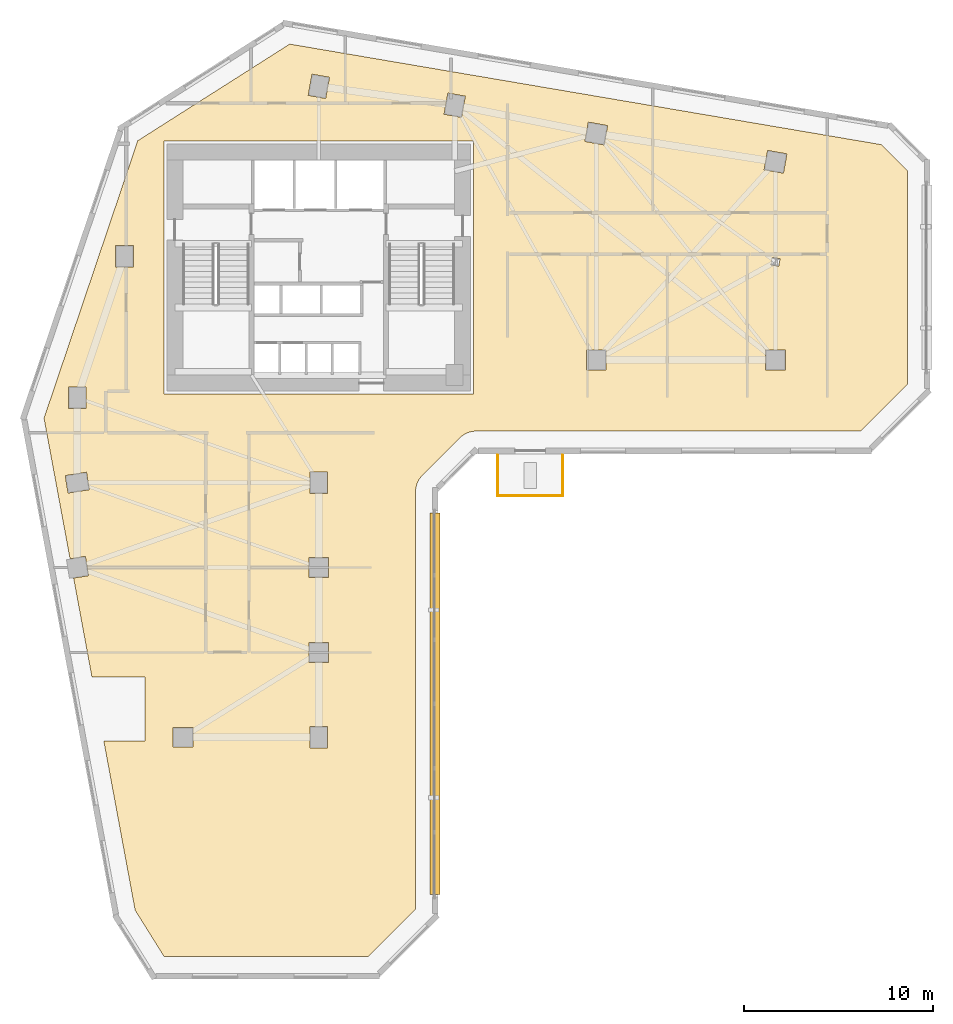
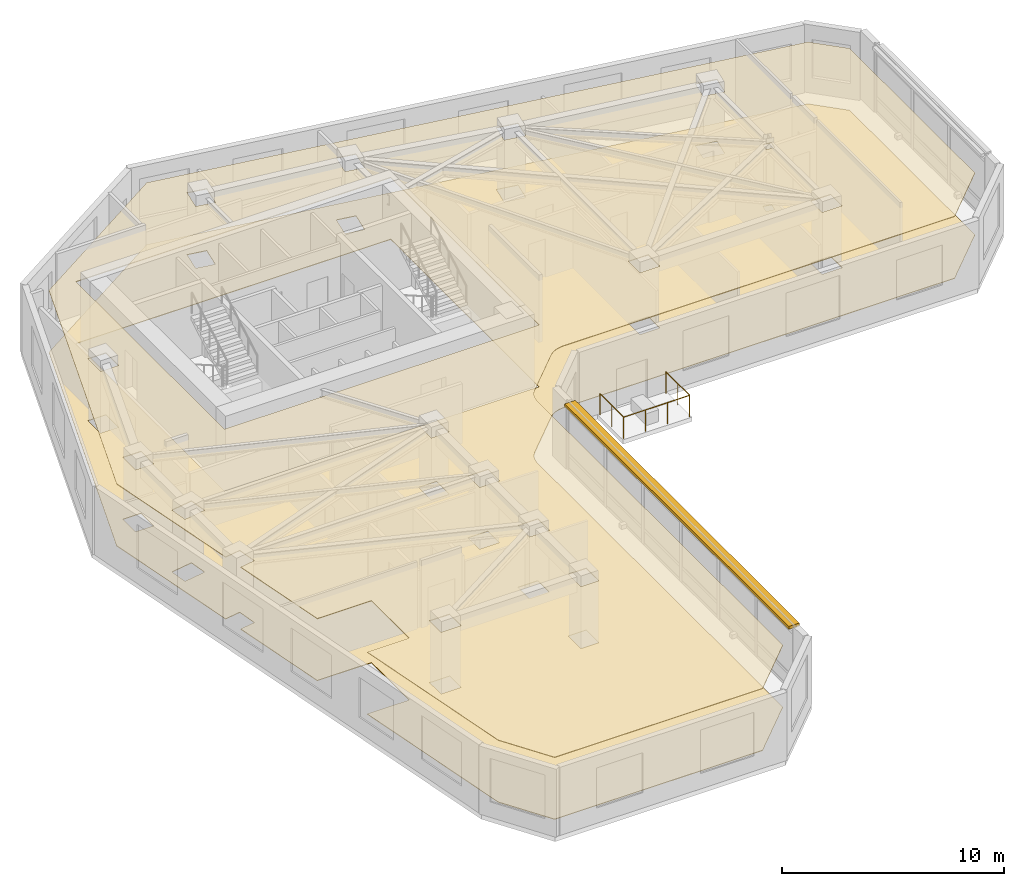
# One storey, part 8 of 10: 3 railings, 2 coverings, 1 shading device.
"""IFC4 building model written with IfcOpenShell, lengths in metres."""

from ifc_helpers import new_model, si_unit, direction, frame, frame_2d, origin, origin_2d, place, context, subcontext, project, spatial, polyline, rectangle, circle, outline, extrude, material, layer, layer_set, type_object, element, save


model = new_model("IFC4")

# Units and contexts
model_context = context("Model", 3, precision=1e-05, world=origin(), true_north=direction((0.0, 1.0)))
body_context = subcontext(model_context, "Body", "Model", "MODEL_VIEW")
ifc_project = project(units=[si_unit("LENGTHUNIT", "METRE"), si_unit("AREAUNIT", "SQUARE_METRE"), si_unit("VOLUMEUNIT", "CUBIC_METRE"), si_unit("PLANEANGLEUNIT", "RADIAN"), si_unit("MASSUNIT", "GRAM", prefix="KILO")], contexts=[model_context])

# Site, building, storey
site_placement = place(None, origin())
site = spatial("IfcSite", under=ifc_project, at=site_placement, CompositionType="ELEMENT")
building_placement = place(site_placement, origin())
building = spatial("IfcBuilding", under=site, at=building_placement, Name="Calvemar Wedge Station Tower", CompositionType="ELEMENT")
storey_placement = place(building_placement, frame((0.0, 0.0, 87.0)))
storey = spatial("IfcBuildingStorey", under=building, at=storey_placement, Name="L21", CompositionType="ELEMENT", Elevation=87.0)

# Coverings
ifc_material_1 = material(Name="Acoustic mineral fibre ceiling board")
ifc_layer_1 = layer(ifc_material_1, 0.0400390625)
ifc_layer_set_1 = layer_set([ifc_layer_1], Name="Acoustic mineral fibre ceiling board")
covering_type_1 = type_object("IfcCoveringType", Name="COV-CEIL-ACOUSTIC", PredefinedType="CEILING", material=ifc_layer_set_1)
covering_1_placement = place(storey_placement, frame((0.0, 0.0, 3.39990234375)))
element("IfcCovering", 1, at=covering_1_placement, inside=storey, type_object=covering_type_1, Name="Storey L21 Acoustic Suspended Ceiling", PredefinedType="CEILING", context=body_context, shape_type="SweptSolid", body=[
    extrude(outline(polyline([(29.279541015625, 28.87646484375), (31.279541015625, 30.87646484375), (31.36669921875, 30.95556640625), (31.461181640625, 31.02587890625), (31.562255859375, 31.086181640625), (31.668701171875, 31.13671875), (31.77978515625, 31.17626953125), (31.893798828125, 31.204833984375), (32.010498046875, 31.22216796875), (32.1279296875, 31.22802734375), (52.5029296875, 31.22802734375), (55.0, 33.72509765625), (55.0, 45.031005859375), (53.621826171875, 46.408935546875), (22.25439453125, 51.739501953125), (14.201416015625, 46.614990234375), (9.23681640625, 31.911865234375), (10.6162109375, 24.465087890625), (11.43115234375, 24.595703125), (11.595703125, 23.56884765625), (10.805908203125, 23.4423828125), (11.777099609375, 18.199951171875), (14.60009765625, 18.199951171875), (14.60009765625, 14.800048828125), (12.406982421875, 14.800048828125), (14.06640625, 5.8427734375), (15.593017578125, 3.39990234375), (26.430908203125, 3.39990234375), (28.927978515625, 5.897216796875), (28.927978515625, 28.028076171875), (28.933837890625, 28.1455078125), (28.951171875, 28.26220703125), (28.979736328125, 28.376220703125), (29.019287109375, 28.4873046875), (29.069580078125, 28.59375), (29.130126953125, 28.694580078125), (29.200439453125, 28.789306640625), (29.279541015625, 28.87646484375)]), holes=[polyline([(15.60009765625, 46.60009765625), (32.0, 46.60009765625), (32.0, 33.199951171875), (15.60009765625, 33.199951171875), (15.60009765625, 46.60009765625)]), polyline([(10.530029296875, 32.429931640625), (10.530029296875, 33.570068359375), (11.469970703125, 33.570068359375), (11.469970703125, 32.429931640625), (10.530029296875, 32.429931640625)]), polyline([(13.030029296875, 41.070068359375), (13.969970703125, 41.070068359375), (13.969970703125, 39.929931640625), (13.030029296875, 39.929931640625), (13.030029296875, 41.070068359375)]), polyline([(24.363525390625, 49.977783203125), (24.16162109375, 48.855712890625), (23.236572265625, 49.022216796875), (23.4384765625, 50.144287109375), (24.363525390625, 49.977783203125)]), polyline([(31.361572265625, 47.855712890625), (30.4365234375, 48.022216796875), (30.638427734375, 49.144287109375), (31.5634765625, 48.977783203125), (31.361572265625, 47.855712890625)]), polyline([(37.89599609375, 46.580322265625), (38.080322265625, 47.60400390625), (39.10400390625, 47.419677734375), (38.919677734375, 46.39599609375), (37.89599609375, 46.580322265625)]), polyline([(47.580322265625, 46.10400390625), (48.60400390625, 45.919677734375), (48.419677734375, 44.89599609375), (47.39599609375, 45.080322265625), (47.580322265625, 46.10400390625)]), polyline([(39.02001953125, 35.52001953125), (39.02001953125, 34.47998046875), (37.97998046875, 34.47998046875), (37.97998046875, 35.52001953125), (39.02001953125, 35.52001953125)]), polyline([(48.52001953125, 34.47998046875), (47.47998046875, 34.47998046875), (47.47998046875, 35.52001953125), (48.52001953125, 35.52001953125), (48.52001953125, 34.47998046875)]), polyline([(47.759765625, 40.033935546875), (47.832763671875, 40.439453125), (48.240234375, 40.3662109375), (48.167236328125, 39.960693359375), (47.759765625, 40.033935546875)]), polyline([(11.488525390625, 29.05419921875), (11.63720703125, 28.126220703125), (10.511474609375, 27.94580078125), (10.36279296875, 28.873779296875), (11.488525390625, 29.05419921875)]), polyline([(24.27001953125, 27.929931640625), (23.330078125, 27.929931640625), (23.330078125, 29.070068359375), (24.27001953125, 29.070068359375), (24.27001953125, 27.929931640625)]), polyline([(23.280029296875, 23.47998046875), (23.280029296875, 24.52001953125), (24.320068359375, 24.52001953125), (24.320068359375, 23.47998046875), (23.280029296875, 23.47998046875)]), polyline([(23.280029296875, 20.02001953125), (24.320068359375, 20.02001953125), (24.320068359375, 18.97998046875), (23.280029296875, 18.97998046875), (23.280029296875, 20.02001953125)]), polyline([(24.27001953125, 15.570068359375), (24.27001953125, 14.429931640625), (23.330078125, 14.429931640625), (23.330078125, 15.570068359375), (24.27001953125, 15.570068359375)]), polyline([(17.1201171875, 14.47998046875), (16.080078125, 14.47998046875), (16.080078125, 15.52001953125), (17.1201171875, 15.52001953125), (17.1201171875, 14.47998046875)])]), origin(), (0.0, 0.0, 1.0), 0.0400390625),
])
ifc_material_2 = material(Name="Commercial raised access floor")
ifc_layer_2 = layer(ifc_material_2, 0.030029296875)
ifc_layer_set_2 = layer_set([ifc_layer_2], Name="Commercial raised access floor")
covering_type_2 = type_object("IfcCoveringType", Name="COV-FLR-RAISED", PredefinedType="FLOORING", material=ifc_layer_set_2)
covering_2_placement = place(storey_placement, origin())
element("IfcCovering", 2, at=covering_2_placement, inside=storey, type_object=covering_type_2, Name="Storey L21 Architectural Floor Finish", PredefinedType="FLOORING", context=body_context, shape_type="SweptSolid", body=[
    extrude(outline(polyline([(29.279541015625, 28.87646484375), (31.279541015625, 30.87646484375), (31.36669921875, 30.95556640625), (31.461181640625, 31.02587890625), (31.562255859375, 31.086181640625), (31.668701171875, 31.13671875), (31.77978515625, 31.17626953125), (31.893798828125, 31.204833984375), (32.010498046875, 31.22216796875), (32.1279296875, 31.22802734375), (52.5029296875, 31.22802734375), (55.0, 33.72509765625), (55.0, 45.031005859375), (53.621826171875, 46.408935546875), (22.25439453125, 51.739501953125), (14.201416015625, 46.614990234375), (9.23681640625, 31.911865234375), (10.6162109375, 24.465087890625), (11.43115234375, 24.595703125), (11.595703125, 23.56884765625), (10.805908203125, 23.4423828125), (11.777099609375, 18.199951171875), (14.60009765625, 18.199951171875), (14.60009765625, 14.800048828125), (12.406982421875, 14.800048828125), (14.06640625, 5.8427734375), (15.593017578125, 3.39990234375), (26.430908203125, 3.39990234375), (28.927978515625, 5.897216796875), (28.927978515625, 28.028076171875), (28.933837890625, 28.1455078125), (28.951171875, 28.26220703125), (28.979736328125, 28.376220703125), (29.019287109375, 28.4873046875), (29.069580078125, 28.59375), (29.130126953125, 28.694580078125), (29.200439453125, 28.789306640625), (29.279541015625, 28.87646484375)]), holes=[polyline([(15.60009765625, 46.60009765625), (32.0, 46.60009765625), (32.0, 33.199951171875), (15.60009765625, 33.199951171875), (15.60009765625, 46.60009765625)]), polyline([(10.530029296875, 32.429931640625), (10.530029296875, 33.570068359375), (11.469970703125, 33.570068359375), (11.469970703125, 32.429931640625), (10.530029296875, 32.429931640625)]), polyline([(13.030029296875, 41.070068359375), (13.969970703125, 41.070068359375), (13.969970703125, 39.929931640625), (13.030029296875, 39.929931640625), (13.030029296875, 41.070068359375)]), polyline([(24.363525390625, 49.977783203125), (24.16162109375, 48.855712890625), (23.236572265625, 49.022216796875), (23.4384765625, 50.144287109375), (24.363525390625, 49.977783203125)]), polyline([(31.361572265625, 47.855712890625), (30.4365234375, 48.022216796875), (30.638427734375, 49.144287109375), (31.5634765625, 48.977783203125), (31.361572265625, 47.855712890625)]), polyline([(37.89599609375, 46.580322265625), (38.080322265625, 47.60400390625), (39.10400390625, 47.419677734375), (38.919677734375, 46.39599609375), (37.89599609375, 46.580322265625)]), polyline([(47.580322265625, 46.10400390625), (48.60400390625, 45.919677734375), (48.419677734375, 44.89599609375), (47.39599609375, 45.080322265625), (47.580322265625, 46.10400390625)]), polyline([(39.02001953125, 35.52001953125), (39.02001953125, 34.47998046875), (37.97998046875, 34.47998046875), (37.97998046875, 35.52001953125), (39.02001953125, 35.52001953125)]), polyline([(48.52001953125, 34.47998046875), (47.47998046875, 34.47998046875), (47.47998046875, 35.52001953125), (48.52001953125, 35.52001953125), (48.52001953125, 34.47998046875)]), polyline([(47.759765625, 40.033935546875), (47.832763671875, 40.439453125), (48.240234375, 40.3662109375), (48.167236328125, 39.960693359375), (47.759765625, 40.033935546875)]), polyline([(11.488525390625, 29.05419921875), (11.63720703125, 28.126220703125), (10.511474609375, 27.94580078125), (10.36279296875, 28.873779296875), (11.488525390625, 29.05419921875)]), polyline([(24.27001953125, 27.929931640625), (23.330078125, 27.929931640625), (23.330078125, 29.070068359375), (24.27001953125, 29.070068359375), (24.27001953125, 27.929931640625)]), polyline([(23.280029296875, 23.47998046875), (23.280029296875, 24.52001953125), (24.320068359375, 24.52001953125), (24.320068359375, 23.47998046875), (23.280029296875, 23.47998046875)]), polyline([(23.280029296875, 20.02001953125), (24.320068359375, 20.02001953125), (24.320068359375, 18.97998046875), (23.280029296875, 18.97998046875), (23.280029296875, 20.02001953125)]), polyline([(24.27001953125, 15.570068359375), (24.27001953125, 14.429931640625), (23.330078125, 14.429931640625), (23.330078125, 15.570068359375), (24.27001953125, 15.570068359375)]), polyline([(17.1201171875, 14.47998046875), (16.080078125, 14.47998046875), (16.080078125, 15.52001953125), (17.1201171875, 15.52001953125), (17.1201171875, 14.47998046875)])]), origin(), (0.0, 0.0, 1.0), 0.030029296875),
])

# Railings
ifc_material_3 = material(Name="Stainless steel AISI 316L", Category="steel")
railing_type = type_object("IfcRailingType", Name="GRD-TERR-1200", PredefinedType="GUARDRAIL", material=ifc_material_3)
railing_1_placement = place(storey_placement, frame((36.719970703125, 29.947998046875, 0.0)))
element("IfcRailing", 3, at=railing_1_placement, inside=storey, type_object=railing_type, Name="Storey L21 Spiral Terrace Guard 2", PredefinedType="GUARDRAIL", context=body_context, shape_type="SweptSolid", body=[
    extrude(circle(Radius=0.02392578125, at=origin_2d()), frame((0.0, 0.0, 1.17578125), z_axis=(0.0, -1.0, 0.0), x_axis=(1.0, 0.0, 0.0)), (0.0, 0.0, 1.0), 2.139892578125),
    extrude(circle(Radius=0.02099609375, at=origin_2d()), origin(), (0.0, 0.0, 1.0), 1.15185546875),
    extrude(circle(Radius=0.02099609375, at=origin_2d()), frame((0.0, -1.06982421875, 0.0)), (0.0, 0.0, 1.0), 1.15185546875),
    extrude(circle(Radius=0.02099609375, at=origin_2d()), frame((0.0, -2.139892578125, 0.0)), (0.0, 0.0, 1.0), 1.15185546875),
])
railing_2_placement = place(storey_placement, frame((36.719970703125, 27.80810546875, 0.0)))
element("IfcRailing", 4, at=railing_2_placement, inside=storey, type_object=railing_type, Name="Storey L21 Spiral Terrace Guard 3", PredefinedType="GUARDRAIL", context=body_context, shape_type="SweptSolid", body=[
    extrude(circle(Radius=0.02392578125, at=origin_2d()), frame((0.0, 0.0, 1.17578125), z_axis=(-1.0, 0.0, 0.0), x_axis=(0.0, -1.0, 0.0)), (0.0, 0.0, 1.0), 3.43994140625),
    extrude(circle(Radius=0.02099609375, at=origin_2d()), origin(), (0.0, 0.0, 1.0), 1.15185546875),
    extrude(circle(Radius=0.02099609375, at=origin_2d()), frame((-1.146728515625, 0.0, 0.0)), (0.0, 0.0, 1.0), 1.15185546875),
    extrude(circle(Radius=0.02099609375, at=origin_2d()), frame((-2.293212890625, 0.0, 0.0)), (0.0, 0.0, 1.0), 1.15185546875),
    extrude(circle(Radius=0.02099609375, at=origin_2d()), frame((-3.43994140625, 0.0, 0.0)), (0.0, 0.0, 1.0), 1.15185546875),
])
railing_3_placement = place(storey_placement, frame((33.280029296875, 27.80810546875, 0.0)))
element("IfcRailing", 5, at=railing_3_placement, inside=storey, type_object=railing_type, Name="Storey L21 Spiral Terrace Guard 4", PredefinedType="GUARDRAIL", context=body_context, shape_type="SweptSolid", body=[
    extrude(circle(Radius=0.02392578125, at=origin_2d()), frame((0.0, 0.0, 1.17578125), z_axis=(0.0, 1.0, 0.0), x_axis=(-1.0, 0.0, 0.0)), (0.0, 0.0, 1.0), 2.139892578125),
    extrude(circle(Radius=0.02099609375, at=origin_2d()), origin(), (0.0, 0.0, 1.0), 1.15185546875),
    extrude(circle(Radius=0.02099609375, at=origin_2d()), frame((0.0, 1.06982421875, 0.0)), (0.0, 0.0, 1.0), 1.15185546875),
    extrude(circle(Radius=0.02099609375, at=origin_2d()), frame((0.0, 2.139892578125, 0.0)), (0.0, 0.0, 1.0), 1.15185546875),
])

# Shading device
ifc_material_4 = material(Name="Precast concrete C45", Category="concrete")
shading_device_type = type_object("IfcShadingDeviceType", Name="SHD-EYEBROW-1", PredefinedType="SHUTTER", material=ifc_material_4)
shading_device_placement = place(storey_placement, frame((29.9580078125, 6.662109375, 3.570068359375), z_axis=(0.0, 0.0, 1.0), x_axis=(0.0, 1.0, 0.0)))
element("IfcShadingDevice", 6, at=shading_device_placement, inside=storey, type_object=shading_device_type, Name="Storey L21 Bronze GFRC Solar Eyebrow 4", PredefinedType="SHUTTER", context=body_context, shape_type="SweptSolid", body=[
    extrude(rectangle(XDim=20.22802734375, YDim=0.550048828125, at=frame_2d((10.114013671875, 0.0))), origin(), (0.0, 0.0, 1.0), 0.159912109375),
])

save(model, "model.ifc")
